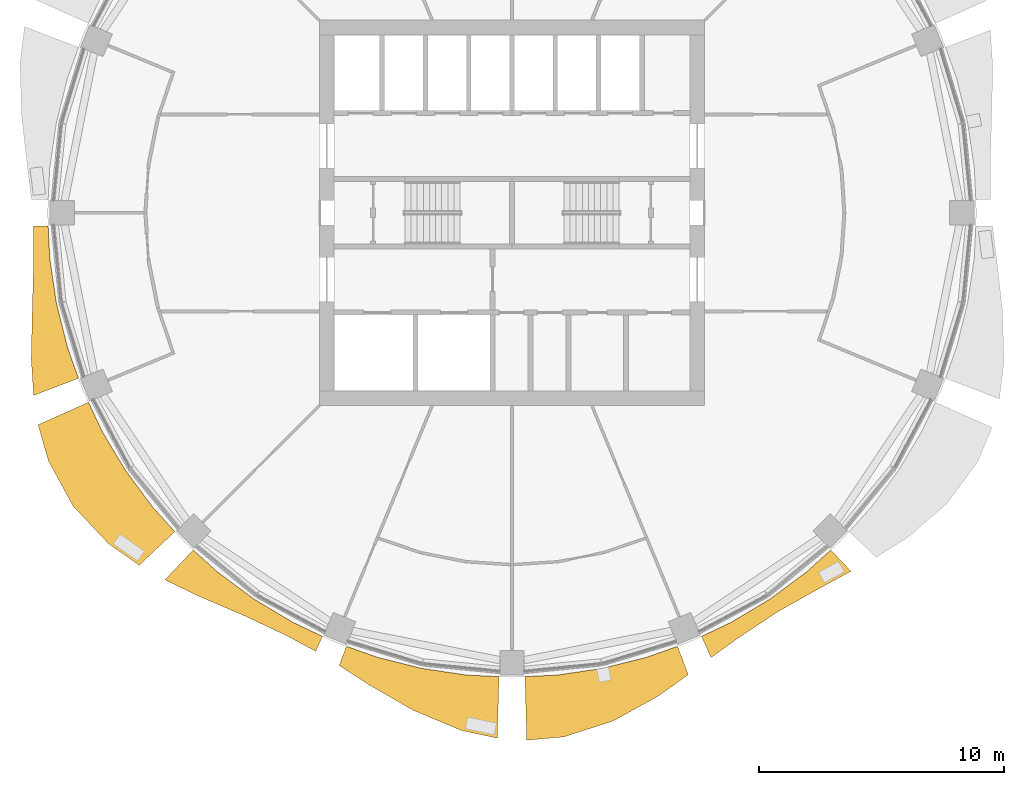
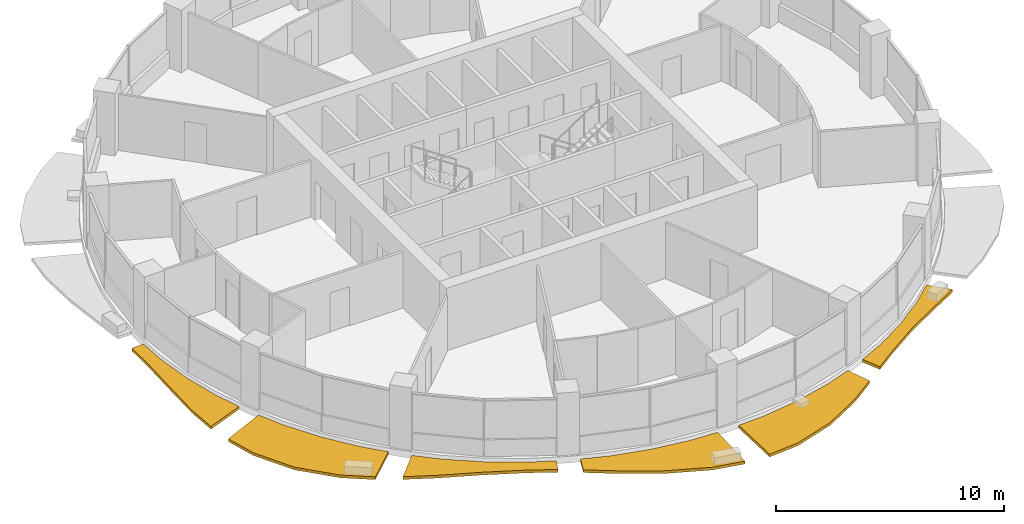
# One storey, part 12 of 15: 6 shading devices.
"""IFC4 building model written with IfcOpenShell, lengths in metres."""

from ifc_helpers import new_model, si_unit, direction, frame, origin, place, context, subcontext, project, spatial, polyline, outline, extrude, material, type_object, element, save


model = new_model("IFC4")

# Units and contexts
model_context = context("Model", 3, precision=1e-05, world=origin(), true_north=direction((0.0, 1.0)))
body_context = subcontext(model_context, "Body", "Model", "MODEL_VIEW")
ifc_project = project(units=[si_unit("LENGTHUNIT", "METRE"), si_unit("AREAUNIT", "SQUARE_METRE"), si_unit("VOLUMEUNIT", "CUBIC_METRE"), si_unit("PLANEANGLEUNIT", "RADIAN"), si_unit("MASSUNIT", "GRAM", prefix="KILO")], contexts=[model_context])

# Site, building, storey
site_placement = place(None, origin())
site = spatial("IfcSite", under=ifc_project, at=site_placement, CompositionType="ELEMENT")
building_placement = place(site_placement, origin())
building = spatial("IfcBuilding", under=site, at=building_placement, Name="Polderwave Tower", CompositionType="ELEMENT")
storey_placement = place(building_placement, frame((0.0, 0.0, 131.0)))
storey = spatial("IfcBuildingStorey", under=building, at=storey_placement, Name="L34", CompositionType="ELEMENT", Elevation=131.0)

# Shading devices
ifc_material = material(Name="Terracotta", Category="masonry")
shading_device_type = type_object("IfcShadingDeviceType", Name="Terracotta sunshade band", PredefinedType="USERDEFINED", material=ifc_material)
shading_device_1_placement = place(storey_placement, frame((0.0, 0.0, -0.35009765625)))
element("IfcShadingDevice", 1, at=shading_device_1_placement, inside=storey, type_object=shading_device_type, Name="Sunshade band L34 9", ObjectType="SUNSHADE", PredefinedType="USERDEFINED", context=body_context, shape_type="SweptSolid", body=[
    extrude(outline(polyline([(-18.9541015625, -0.530029296875), (-18.888671875, -1.8603515625), (-18.615234375, -3.702880859375), (-18.16259765625, -5.509521484375), (-17.714111328125, -6.763671875), (-19.547607421875, -7.4638671875), (-19.64599609375, -5.959716796875), (-19.599609375, -3.898681640625), (-19.543701171875, -1.9248046875), (-19.556884765625, -0.546875), (-18.9541015625, -0.530029296875)])), origin(), (0.0, 0.0, 1.0), 0.150146484375),
])
shading_device_2_placement = place(storey_placement, frame((0.0, 0.0, -0.35009765625)))
element("IfcShadingDevice", 2, at=shading_device_2_placement, inside=storey, type_object=shading_device_type, Name="Sunshade band L34 10", ObjectType="SUNSHADE", PredefinedType="USERDEFINED", context=body_context, shape_type="SweptSolid", body=[
    extrude(outline(polyline([(-17.308349609375, -7.7431640625), (-16.739013671875, -8.947021484375), (-15.78125, -10.544677734375), (-14.671630859375, -12.040771484375), (-13.77734375, -13.027587890625), (-15.232177734375, -14.4033203125), (-16.481689453125, -13.526123046875), (-17.93408203125, -11.9833984375), (-18.94677734375, -10.127197265625), (-19.36181640625, -8.66162109375), (-17.308349609375, -7.7431640625)])), origin(), (0.0, 0.0, 1.0), 0.150146484375),
])
shading_device_3_placement = place(storey_placement, frame((0.0, 0.0, -0.35009765625)))
element("IfcShadingDevice", 3, at=shading_device_3_placement, inside=storey, type_object=shading_device_type, Name="Sunshade band L34 11", ObjectType="SUNSHADE", PredefinedType="USERDEFINED", context=body_context, shape_type="SweptSolid", body=[
    extrude(outline(polyline([(-13.027587890625, -13.77734375), (-12.040771484375, -14.671630859375), (-10.544677734375, -15.78125), (-8.947021484375, -16.739013671875), (-7.7431640625, -17.308349609375), (-8.015869140625, -17.918212890625), (-9.23046875, -17.26904296875), (-10.98779296875, -16.444091796875), (-12.842529296875, -15.648681640625), (-14.180908203125, -14.996826171875), (-13.027587890625, -13.77734375)])), origin(), (0.0, 0.0, 1.0), 0.150146484375),
])
shading_device_4_placement = place(storey_placement, frame((0.0, 0.0, -0.35009765625)))
element("IfcShadingDevice", 4, at=shading_device_4_placement, inside=storey, type_object=shading_device_type, Name="Sunshade band L34 12", ObjectType="SUNSHADE", PredefinedType="USERDEFINED", context=body_context, shape_type="SweptSolid", body=[
    extrude(outline(polyline([(-6.763671875, -17.714111328125), (-5.509521484375, -18.16259765625), (-3.702880859375, -18.615234375), (-1.8603515625, -18.888671875), (-0.530029296875, -18.9541015625), (-0.600341796875, -21.468505859375), (-2.0830078125, -21.148681640625), (-4.04345703125, -20.32763671875), (-5.849609375, -19.283935546875), (-7.063232421875, -18.498291015625), (-6.763671875, -17.714111328125)])), origin(), (0.0, 0.0, 1.0), 0.150146484375),
])
shading_device_5_placement = place(storey_placement, frame((0.0, 0.0, -0.35009765625)))
element("IfcShadingDevice", 5, at=shading_device_5_placement, inside=storey, type_object=shading_device_type, Name="Sunshade band L34 13", ObjectType="SUNSHADE", PredefinedType="USERDEFINED", context=body_context, shape_type="SweptSolid", body=[
    extrude(outline(polyline([(0.530029296875, -18.9541015625), (1.8603515625, -18.888671875), (3.702880859375, -18.615234375), (5.509521484375, -18.16259765625), (6.763671875, -17.714111328125), (7.205078125, -18.869873046875), (5.988525390625, -19.74169921875), (4.13134765625, -20.76953125), (2.109619140625, -21.418212890625), (0.6025390625, -21.5498046875), (0.530029296875, -18.9541015625)])), origin(), (0.0, 0.0, 1.0), 0.150146484375),
])
shading_device_6_placement = place(storey_placement, frame((0.0, 0.0, -0.35009765625)))
element("IfcShadingDevice", 6, at=shading_device_6_placement, inside=storey, type_object=shading_device_type, Name="Sunshade band L34 14", ObjectType="SUNSHADE", PredefinedType="USERDEFINED", context=body_context, shape_type="SweptSolid", body=[
    extrude(outline(polyline([(7.7431640625, -17.308349609375), (8.947021484375, -16.739013671875), (10.544677734375, -15.78125), (12.040771484375, -14.671630859375), (13.027587890625, -13.77734375), (13.8505859375, -14.6474609375), (12.58544921875, -15.335205078125), (10.884033203125, -16.2890625), (9.275390625, -17.35302734375), (8.131103515625, -18.176025390625), (7.7431640625, -17.308349609375)])), origin(), (0.0, 0.0, 1.0), 0.150146484375),
])

save(model, "model.ifc")
